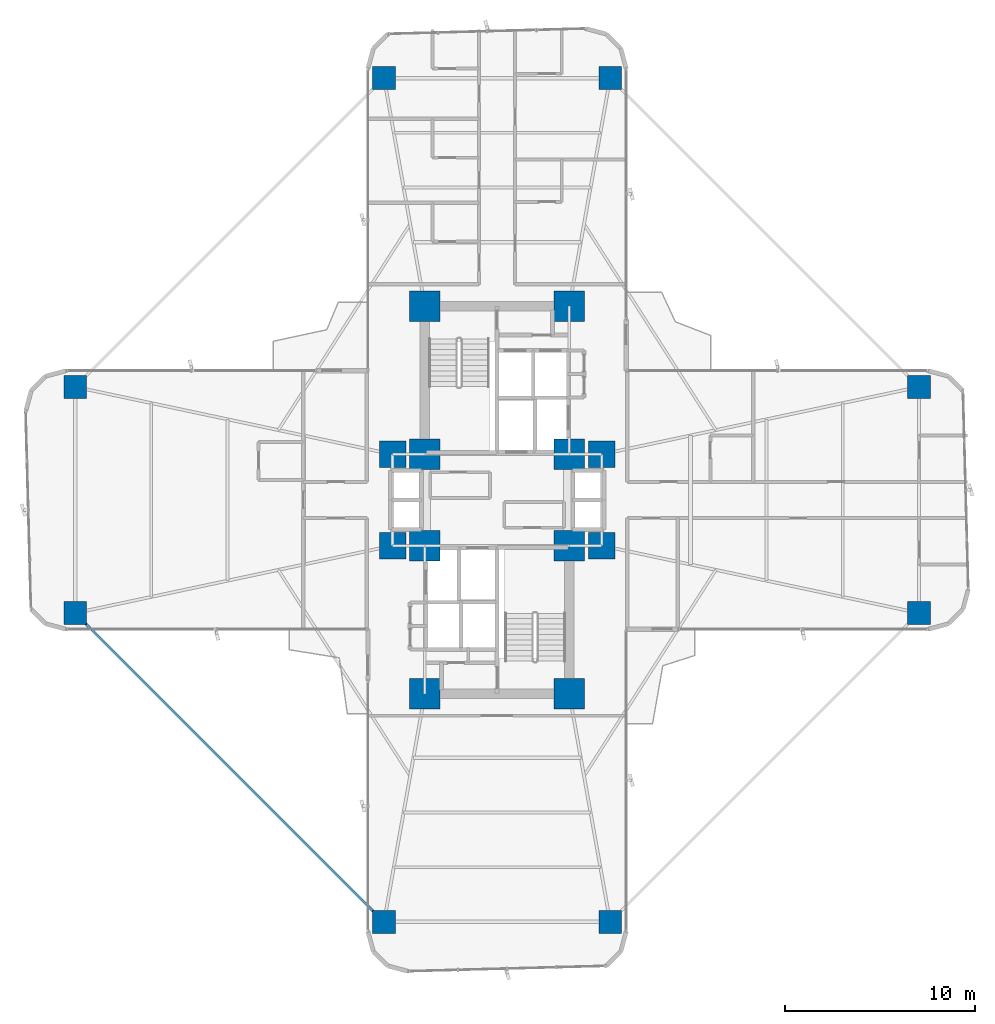
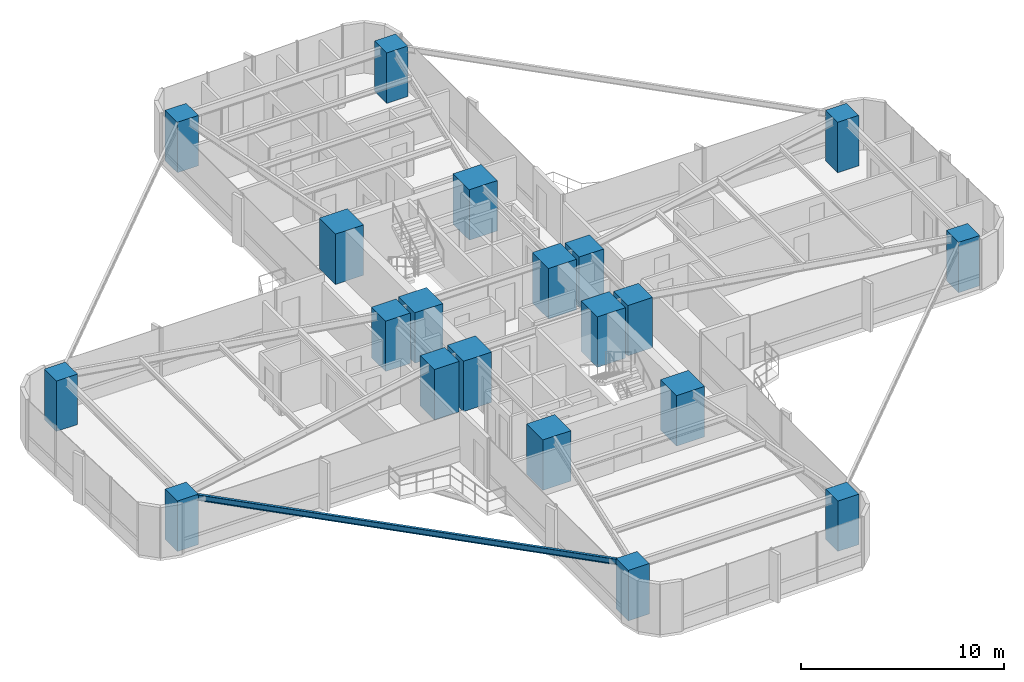
# One storey, part 1 of 25: 20 columns, 1 beam.
"""IFC4 building model written with IfcOpenShell, lengths in metres."""

from ifc_helpers import new_model, si_unit, direction, frame, origin, origin_2d, place, context, subcontext, project, spatial, rectangle, i_section, extrude, source, transform, mapped, material, material_profile, profile_set, type_object, element, save


model = new_model("IFC4")

# Units and contexts
model_context = context("Model", 3, precision=1e-05, world=origin(), true_north=direction((0.0, 1.0)))
body_context = subcontext(model_context, "Body", "Model", "MODEL_VIEW")
ifc_project = project(units=[si_unit("LENGTHUNIT", "METRE"), si_unit("AREAUNIT", "SQUARE_METRE"), si_unit("VOLUMEUNIT", "CUBIC_METRE"), si_unit("PLANEANGLEUNIT", "RADIAN"), si_unit("MASSUNIT", "GRAM", prefix="KILO")], contexts=[model_context])

# Site, building, storey
site_placement = place(None, origin())
site = spatial("IfcSite", under=ifc_project, at=site_placement, CompositionType="ELEMENT")
building_placement = place(site_placement, origin())
building = spatial("IfcBuilding", under=site, at=building_placement, Name="Sahyath Konkavel Grand Hotel", CompositionType="ELEMENT")
storey_placement = place(building_placement, frame((0.0, 0.0, 71.14990234375)))
storey = spatial("IfcBuildingStorey", under=building, at=storey_placement, Name="L19", CompositionType="ELEMENT", Elevation=71.14990234375)

# Columns
ifc_material_1 = material(Name="Concrete C70/85", Category="concrete")
ifc_material_profile_1 = material_profile(ifc_material_1, rectangle(XDim=1.60009765625, YDim=1.60009765625, at=origin_2d()), Name="RC 1600x1600")
ifc_profile_set_1 = profile_set([ifc_material_profile_1], Name="Concrete C70/85")
column_type_1 = type_object("IfcColumnType", Name="COL-RC1600", PredefinedType="COLUMN", material=ifc_profile_set_1)
shared_shape_1 = source(origin(), body_context, "Body", "SweptSolid", [
    extrude(rectangle(XDim=1.60009765625, YDim=1.60009765625, at=origin_2d()), origin(), (0.0, 0.0, 1.0), 3.030029296875),
])
for number, where, z_axis, x_axis, name in (
    (1, (-3.800048828125, 2.39990234375, 0.0), (0.0, 0.0, 1.0), (1.0, 0.0, 0.0), "L19 Core Boundary Column NC-SW"),
    (2, (3.800048828125, 2.39990234375, 0.0), (0.0, 0.0, 1.0), (1.0, 0.0, 0.0), "L19 Core Boundary Column NC-SE"),
    (3, (-3.800048828125, 10.199951171875, 0.0), (0.0, 0.0, 1.0), (1.0, 0.0, 0.0), "L19 Core Boundary Column NC-NW"),
    (4, (3.800048828125, 10.199951171875, 0.0), (0.0, 0.0, 1.0), (1.0, 0.0, 0.0), "L19 Core Boundary Column NC-NE"),
    (5, (-3.800048828125, -2.39990234375, 0.0), (0.0, 0.0, 1.0), (1.0, 0.0, 0.0), "L19 Core Boundary Column SC-NW"),
    (6, (3.800048828125, -2.39990234375, 0.0), (0.0, 0.0, 1.0), (1.0, 0.0, 0.0), "L19 Core Boundary Column SC-NE"),
    (7, (-3.800048828125, -10.199951171875, 0.0), (0.0, 0.0, 1.0), (1.0, 0.0, 0.0), "L19 Core Boundary Column SC-SW"),
    (8, (3.800048828125, -10.199951171875, 0.0), (0.0, 0.0, 1.0), (1.0, 0.0, 0.0), "L19 Core Boundary Column SC-SE"),
):
    element("IfcColumn", number, at=place(storey_placement, frame(where, z_axis=z_axis, x_axis=x_axis)), inside=storey, type_object=column_type_1, Name=name, PredefinedType="COLUMN", context=body_context, shape_type="MappedRepresentation", body=[
        mapped(shared_shape_1, transform((0.0, 0.0, 0.0), scale=1.0)),
    ])
ifc_material_profile_2 = material_profile(ifc_material_1, rectangle(XDim=1.39990234375, YDim=1.39990234375, at=origin_2d()), Name="RC 1400x1400")
ifc_profile_set_2 = profile_set([ifc_material_profile_2], Name="Concrete C70/85")
column_type_2 = type_object("IfcColumnType", Name="COL-RC1400", PredefinedType="COLUMN", material=ifc_profile_set_2)
shared_shape_2 = source(origin(), body_context, "Body", "SweptSolid", [
    extrude(rectangle(XDim=1.39990234375, YDim=1.39990234375, at=origin_2d()), origin(), (0.0, 0.0, 1.0), 3.030029296875),
])
for number, where, z_axis, x_axis, name in (
    (9, (5.5, 2.39990234375, 0.0), (0.0, 0.0, 1.0), (1.0, 0.0, 0.0), "L19 Central Spine Column HB-NE"),
    (10, (-5.5, 2.39990234375, 0.0), (0.0, 0.0, 1.0), (1.0, 0.0, 0.0), "L19 Central Spine Column HB-NW"),
    (11, (5.5, -2.39990234375, 0.0), (0.0, 0.0, 1.0), (1.0, 0.0, 0.0), "L19 Central Spine Column HB-SE"),
    (12, (-5.5, -2.39990234375, 0.0), (0.0, 0.0, 1.0), (1.0, 0.0, 0.0), "L19 Central Spine Column HB-SW"),
):
    element("IfcColumn", number, at=place(storey_placement, frame(where, z_axis=z_axis, x_axis=x_axis)), inside=storey, type_object=column_type_2, Name=name, PredefinedType="COLUMN", context=body_context, shape_type="MappedRepresentation", body=[
        mapped(shared_shape_2, transform((0.0, 0.0, 0.0), scale=1.0)),
    ])
ifc_material_2 = material(Name="Concrete C50/60", Category="concrete")
ifc_material_profile_3 = material_profile(ifc_material_2, rectangle(XDim=1.199951171875, YDim=1.199951171875, at=origin_2d()), Name="RC 1200x1200")
ifc_profile_set_3 = profile_set([ifc_material_profile_3], Name="Concrete C50/60")
column_type_3 = type_object("IfcColumnType", Name="COL-RC1200", PredefinedType="COLUMN", material=ifc_profile_set_3)
shared_shape_3 = source(origin(), body_context, "Body", "SweptSolid", [
    extrude(rectangle(XDim=1.199951171875, YDim=1.199951171875, at=origin_2d()), origin(), (0.0, 0.0, 1.0), 3.030029296875),
])
for number, where, z_axis, x_axis, name in (
    (13, (22.199951171875, -5.949951171875, 0.0), (0.0, 0.0, 1.0), (1.0, 0.0, 0.0), "L19 Cruciform Wing Column WC-EA"),
    (14, (22.199951171875, 5.949951171875, 0.0), (0.0, 0.0, 1.0), (1.0, 0.0, 0.0), "L19 Cruciform Wing Column WC-EB"),
    (15, (5.949951171875, 22.199951171875, 0.0), (0.0, 0.0, 1.0), (1.0, 0.0, 0.0), "L19 Cruciform Wing Column WC-NA"),
    (16, (-5.949951171875, 22.199951171875, 0.0), (0.0, 0.0, 1.0), (1.0, 0.0, 0.0), "L19 Cruciform Wing Column WC-NB"),
    (17, (-22.199951171875, 5.949951171875, 0.0), (0.0, 0.0, 1.0), (1.0, 0.0, 0.0), "L19 Cruciform Wing Column WC-WA"),
    (18, (-22.199951171875, -5.949951171875, 0.0), (0.0, 0.0, 1.0), (1.0, 0.0, 0.0), "L19 Cruciform Wing Column WC-WB"),
    (19, (-5.949951171875, -22.199951171875, 0.0), (0.0, 0.0, 1.0), (1.0, 0.0, 0.0), "L19 Cruciform Wing Column WC-SA"),
    (20, (5.949951171875, -22.199951171875, 0.0), (0.0, 0.0, 1.0), (1.0, 0.0, 0.0), "L19 Cruciform Wing Column WC-SB"),
):
    element("IfcColumn", number, at=place(storey_placement, frame(where, z_axis=z_axis, x_axis=x_axis)), inside=storey, type_object=column_type_3, Name=name, PredefinedType="COLUMN", context=body_context, shape_type="MappedRepresentation", body=[
        mapped(shared_shape_3, transform((0.0, 0.0, 0.0), scale=1.0)),
    ])

# Beam
ifc_material_3 = material(Name="Steel E350", Category="steel")
ifc_material_profile_4 = material_profile(ifc_material_3, i_section(OverallWidth=0.139892578125, OverallDepth=0.35009765625, WebThickness=0.008056640625, FlangeThickness=0.01416015625, FilletRadius=0.013916015625, at=origin_2d()), Name="ISMB 350")
ifc_profile_set_4 = profile_set([ifc_material_profile_4], Name="Steel E350")
beam_type = type_object("IfcBeamType", Name="BM-ISMB350", PredefinedType="BEAM", material=ifc_profile_set_4)
shared_shape_4 = source(origin(), body_context, "Body", "SweptSolid", [
    extrude(i_section(OverallWidth=0.139892578125, OverallDepth=0.35009765625, WebThickness=0.008056640625, FlangeThickness=0.01416015625, FilletRadius=0.013916015625, at=origin_2d()), origin(), (0.0, 0.0, 1.0), 22.98095703125),
])
beam_placement = place(storey_placement, frame((-22.199951171875, -5.949951171875, 2.85498046875), z_axis=(0.707106781187, -0.707106781187, 0.0), x_axis=(0.707106781187, 0.707106781187, 0.0)))
element("IfcBeam", 21, at=beam_placement, inside=storey, type_object=beam_type, Name="L19 Re-Entrant Tie Beam SW", PredefinedType="BEAM", context=body_context, shape_type="MappedRepresentation", body=[
    mapped(shared_shape_4, transform((0.0, 0.0, 0.0), scale=1.0)),
])

save(model, "model.ifc")
